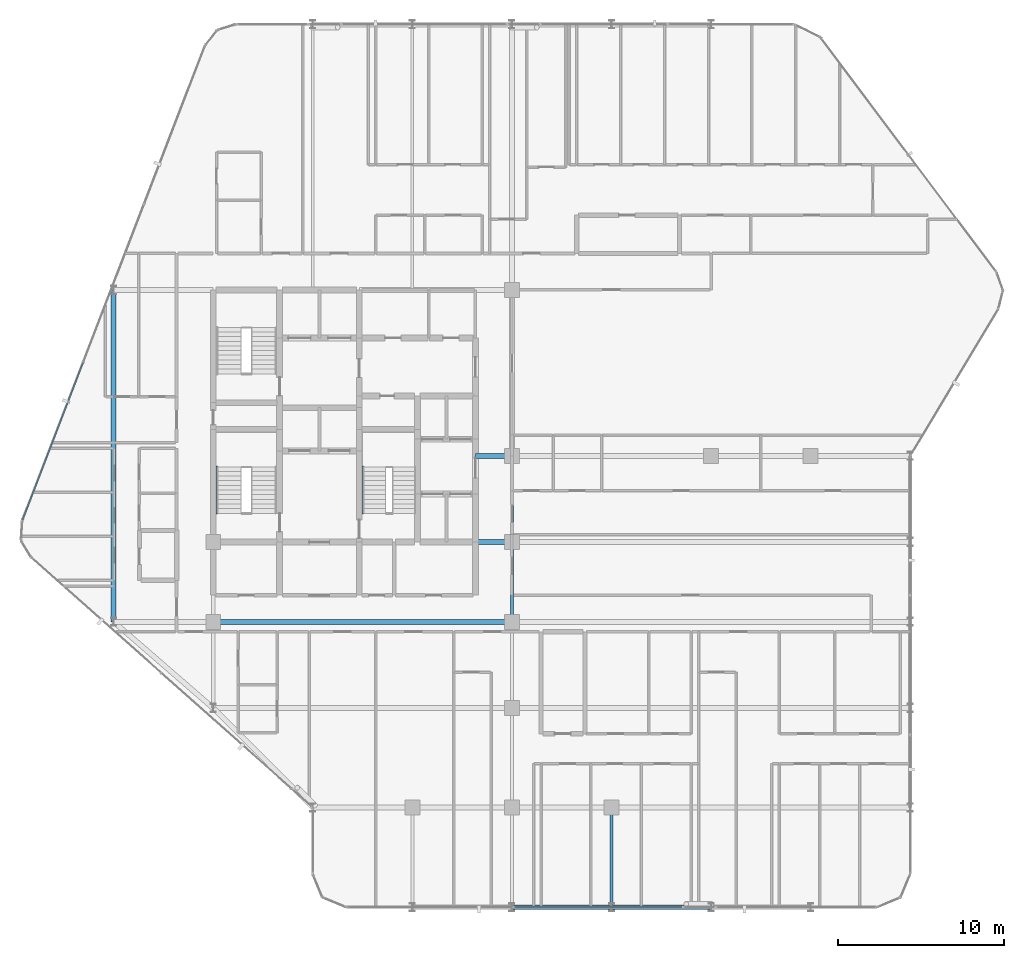
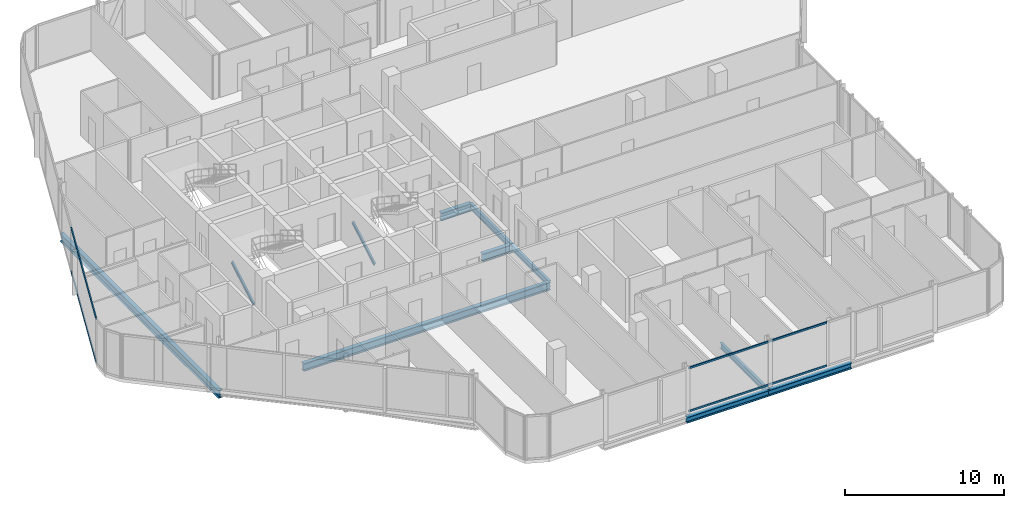
# One storey, part 8 of 31: 9 beams, 6 members, 2 elements without a shape of their own.
"""IFC4 building model written with IfcOpenShell, lengths in metres."""

from ifc_helpers import new_model, si_unit, direction, frame, origin, origin_2d, place, context, subcontext, project, spatial, hollow_rectangle, i_section, extrude, material, layer, layer_set, material_profile, profile_set, type_object, element, aggregate, save


model = new_model("IFC4")

# Units and contexts
model_context = context("Model", 3, precision=1e-05, world=origin(), true_north=direction((0.0, 1.0)))
body_context = subcontext(model_context, "Body", "Model", "MODEL_VIEW")
ifc_project = project(units=[si_unit("LENGTHUNIT", "METRE"), si_unit("AREAUNIT", "SQUARE_METRE"), si_unit("VOLUMEUNIT", "CUBIC_METRE"), si_unit("PLANEANGLEUNIT", "RADIAN"), si_unit("MASSUNIT", "GRAM", prefix="KILO")], contexts=[model_context])

# Site, building, storey
site_placement = place(None, origin())
site = spatial("IfcSite", under=ifc_project, at=site_placement, CompositionType="ELEMENT")
building_placement = place(site_placement, origin())
building = spatial("IfcBuilding", under=site, at=building_placement, Name="Keshet Zoharim Tower", CompositionType="ELEMENT")
storey_placement = place(building_placement, frame((0.0, 0.0, 140.89990234375)))
storey = spatial("IfcBuildingStorey", under=building, at=storey_placement, Name="L34", CompositionType="ELEMENT", Elevation=140.89990234375)

# Beams
ifc_material_1 = material(Name="Steel S355", Category="steel")
ifc_material_profile_1 = material_profile(ifc_material_1, i_section(OverallWidth=0.300048828125, OverallDepth=0.60009765625, WebThickness=0.015380859375, FlangeThickness=0.030029296875, FilletRadius=0.027099609375, at=origin_2d()), Name="HEB600")
ifc_profile_set_1 = profile_set([ifc_material_profile_1], Name="Steel S355")
beam_type_1 = type_object("IfcBeamType", Name="BM-CLK-HB600", PredefinedType="BEAM", material=ifc_profile_set_1)
for number, where, z_axis, x_axis, name in (
    (1, (30.800048828125, 22.699951171875, -0.614990234375), (1.0, 0.0, 0.0), (0.0, 1.0, 0.0), "L34 Core Wall Link Girder 01"),
    (2, (30.800048828125, 27.89990234375, -0.614990234375), (1.0, 0.0, 0.0), (0.0, 1.0, 0.0), "L34 Core Wall Link Girder 02"),
):
    element("IfcBeam", number, at=place(storey_placement, frame(where, z_axis=z_axis, x_axis=x_axis)), inside=storey, type_object=beam_type_1, Name=name, PredefinedType="BEAM", context=body_context, shape_type="SweptSolid", body=[
        extrude(i_section(OverallWidth=0.300048828125, OverallDepth=0.60009765625, WebThickness=0.015380859375, FlangeThickness=0.030029296875, FilletRadius=0.027099609375, at=origin_2d()), origin(), (0.0, 0.0, 1.0), 2.199951171875),
    ])
ifc_material_profile_2 = material_profile(ifc_material_1, i_section(OverallWidth=0.300048828125, OverallDepth=0.60009765625, WebThickness=0.015380859375, FlangeThickness=0.030029296875, FilletRadius=0.027099609375, at=origin_2d()), Name="HEB600")
ifc_profile_set_2 = profile_set([ifc_material_profile_2], Name="Steel S355")
beam_type_2 = type_object("IfcBeamType", Name="BM-LNG-HB600", PredefinedType="BEAM", material=ifc_profile_set_2)
beam_1_placement = place(storey_placement, frame((15.0, 17.89990234375, -0.614990234375), z_axis=(1.0, 0.0, 0.0), x_axis=(0.0, 1.0, 0.0)))
element("IfcBeam", 3, at=beam_1_placement, inside=storey, type_object=beam_type_2, Name="L34 Primary Girder X-012", PredefinedType="BEAM", context=body_context, shape_type="SweptSolid", body=[
    extrude(i_section(OverallWidth=0.300048828125, OverallDepth=0.60009765625, WebThickness=0.015380859375, FlangeThickness=0.030029296875, FilletRadius=0.027099609375, at=origin_2d()), origin(), (0.0, 0.0, 1.0), 18.0),
])
beam_2_placement = place(storey_placement, frame((9.0, 17.89990234375, -0.614990234375), z_axis=(0.0, 1.0, 0.0), x_axis=(-1.0, 0.0, 0.0)))
element("IfcBeam", 4, at=beam_2_placement, inside=storey, type_object=beam_type_2, Name="L34 Primary Girder Y-001", PredefinedType="BEAM", context=body_context, shape_type="SweptSolid", body=[
    extrude(i_section(OverallWidth=0.300048828125, OverallDepth=0.60009765625, WebThickness=0.015380859375, FlangeThickness=0.030029296875, FilletRadius=0.027099609375, at=origin_2d()), origin(), (0.0, 0.0, 1.0), 20.0),
])
ifc_material_profile_3 = material_profile(ifc_material_1, i_section(OverallWidth=0.18994140625, OverallDepth=0.449951171875, WebThickness=0.009521484375, FlangeThickness=0.0146484375, FilletRadius=0.02099609375, at=origin_2d()), Name="IPE450")
ifc_profile_set_3 = profile_set([ifc_material_profile_3], Name="Steel S355")
beam_type_3 = type_object("IfcBeamType", Name="BM-PRI-IP450", PredefinedType="BEAM", material=ifc_profile_set_3)
beam_3_placement = place(storey_placement, frame((33.0, 17.89990234375, -0.539794921875), z_axis=(0.0, 1.0, 0.0), x_axis=(-1.0, 0.0, 0.0)))
element("IfcBeam", 5, at=beam_3_placement, inside=storey, type_object=beam_type_3, Name="L34 Primary Girder Y-008", PredefinedType="BEAM", context=body_context, shape_type="SweptSolid", body=[
    extrude(i_section(OverallWidth=0.18994140625, OverallDepth=0.449951171875, WebThickness=0.009521484375, FlangeThickness=0.0146484375, FilletRadius=0.02099609375, at=origin_2d()), origin(), (0.0, 0.0, 1.0), 4.800048828125),
])
beam_4_placement = place(storey_placement, frame((33.0, 22.699951171875, -0.539794921875), z_axis=(0.0, 1.0, 0.0), x_axis=(-1.0, 0.0, 0.0)))
element("IfcBeam", 6, at=beam_4_placement, inside=storey, type_object=beam_type_3, Name="L34 Primary Girder Y-009", PredefinedType="BEAM", context=body_context, shape_type="SweptSolid", body=[
    extrude(i_section(OverallWidth=0.18994140625, OverallDepth=0.449951171875, WebThickness=0.009521484375, FlangeThickness=0.0146484375, FilletRadius=0.02099609375, at=origin_2d()), origin(), (0.0, 0.0, 1.0), 5.199951171875),
])
beam_5_placement = place(storey_placement, frame((39.0, 0.699951171875, -0.539794921875), z_axis=(0.0, 1.0, 0.0), x_axis=(-1.0, 0.0, 0.0)))
element("IfcBeam", 7, at=beam_5_placement, inside=storey, type_object=beam_type_3, Name="L34 Primary Girder Y-012", PredefinedType="BEAM", context=body_context, shape_type="SweptSolid", body=[
    extrude(i_section(OverallWidth=0.18994140625, OverallDepth=0.449951171875, WebThickness=0.009521484375, FlangeThickness=0.0146484375, FilletRadius=0.02099609375, at=origin_2d()), origin(), (0.0, 0.0, 1.0), 6.0),
])
ifc_material_profile_4 = material_profile(ifc_material_1, i_section(OverallWidth=0.300048828125, OverallDepth=0.449951171875, WebThickness=0.013916015625, FlangeThickness=0.02587890625, FilletRadius=0.027099609375, at=origin_2d()), Name="HEB450")
ifc_profile_set_4 = profile_set([ifc_material_profile_4], Name="Steel S355")
beam_type_4 = type_object("IfcBeamType", Name="BM-WEB-HB450", PredefinedType="BEAM", material=ifc_profile_set_4)
for number, where, z_axis, x_axis, name in (
    (8, (33.0, 0.699951171875, -0.539794921875), (1.0, 0.0, 0.0), (0.0, 1.0, 0.0), "L34 Primary Girder X-002"),
    (9, (39.0, 0.699951171875, -0.539794921875), (1.0, 0.0, 0.0), (0.0, 1.0, 0.0), "L34 Primary Girder X-003"),
):
    element("IfcBeam", number, at=place(storey_placement, frame(where, z_axis=z_axis, x_axis=x_axis)), inside=storey, type_object=beam_type_4, Name=name, PredefinedType="BEAM", context=body_context, shape_type="SweptSolid", body=[
        extrude(i_section(OverallWidth=0.300048828125, OverallDepth=0.449951171875, WebThickness=0.013916015625, FlangeThickness=0.02587890625, FilletRadius=0.027099609375, at=origin_2d()), origin(), (0.0, 0.0, 1.0), 6.0),
    ])

# Curtain wall, members
ifc_material_2 = material(Name="Aluminium 6063-T6", Category="aluminium")
ifc_layer = layer(ifc_material_2, 0.159912109375)
ifc_layer_set = layer_set([ifc_layer], Name="Aluminium 6063-T6")
curtain_wall_type = type_object("IfcCurtainWallType", Name="CW-SYS-03", PredefinedType="NOTDEFINED", material=ifc_layer_set)
curtain_wall_1_placement = place(storey_placement, origin())
curtain_wall_1 = element("IfcCurtainWall", 10, at=curtain_wall_1_placement, inside=storey, type_object=curtain_wall_type, Name="L34 Unitised Curtain Wall 03 Part 3", PredefinedType="NOTDEFINED")
ifc_material_profile_5 = material_profile(ifc_material_2, hollow_rectangle(XDim=0.080078125, YDim=0.139892578125, WallThickness=0.00390625, at=origin_2d()), Name="TRN-80x140")
ifc_profile_set_5 = profile_set([ifc_material_profile_5], Name="Aluminium 6063-T6")
member_type_1 = type_object("IfcMemberType", Name="CWT-T14", PredefinedType="USERDEFINED", material=ifc_profile_set_5)
member_1_placement = place(storey_placement, frame((43.251953125, 0.699951171875, 0.03515625), z_axis=(-1.0, 0.0, 0.0), x_axis=(0.0, -1.0, 0.0)))
member_1 = element("IfcMember", 11, at=member_1_placement, type_object=member_type_1, Name="CW-03 transom 1.1", ObjectType="TRANSOM", PredefinedType="USERDEFINED", context=body_context, shape_type="SweptSolid", body=[
    extrude(hollow_rectangle(XDim=0.080078125, YDim=0.139892578125, WallThickness=0.00390625, at=origin_2d()), origin(), (0.0, 0.0, 1.0), 10.091064453125),
])
member_2_placement = place(storey_placement, frame((43.251953125, 0.699951171875, 3.35009765625), z_axis=(-1.0, 0.0, 0.0), x_axis=(0.0, -1.0, 0.0)))
member_2 = element("IfcMember", 12, at=member_2_placement, type_object=member_type_1, Name="CW-03 transom 1.2", ObjectType="TRANSOM", PredefinedType="USERDEFINED", context=body_context, shape_type="SweptSolid", body=[
    extrude(hollow_rectangle(XDim=0.080078125, YDim=0.139892578125, WallThickness=0.00390625, at=origin_2d()), origin(), (0.0, 0.0, 1.0), 10.091064453125),
])
aggregate(curtain_wall_1, [member_1, member_2])

curtain_wall_2_placement = place(storey_placement, origin())
curtain_wall_2 = element("IfcCurtainWall", 13, at=curtain_wall_2_placement, inside=storey, type_object=curtain_wall_type, Name="L34 Unitised Curtain Wall 10", PredefinedType="NOTDEFINED")
member_3_placement = place(storey_placement, frame((3.522216796875, 24.058349609375, 0.03515625), z_axis=(0.358993631387, 0.93334000912, 0.0), x_axis=(-0.93334000912, 0.358993631387, 0.0)))
member_3 = element("IfcMember", 14, at=member_3_placement, type_object=member_type_1, Name="CW-03 transom 1.1", ObjectType="TRANSOM", PredefinedType="USERDEFINED", context=body_context, shape_type="SweptSolid", body=[
    extrude(hollow_rectangle(XDim=0.080078125, YDim=0.139892578125, WallThickness=0.00390625, at=origin_2d()), origin(), (0.0, 0.0, 1.0), 10.1181640625),
])
member_4_placement = place(storey_placement, frame((3.522216796875, 24.058349609375, 3.35009765625), z_axis=(0.358993631387, 0.93334000912, 0.0), x_axis=(-0.93334000912, 0.358993631387, 0.0)))
member_4 = element("IfcMember", 15, at=member_4_placement, type_object=member_type_1, Name="CW-03 transom 1.2", ObjectType="TRANSOM", PredefinedType="USERDEFINED", context=body_context, shape_type="SweptSolid", body=[
    extrude(hollow_rectangle(XDim=0.080078125, YDim=0.139892578125, WallThickness=0.00390625, at=origin_2d()), origin(), (0.0, 0.0, 1.0), 10.1181640625),
])
aggregate(curtain_wall_2, [member_3, member_4])

# Members
ifc_material_profile_6 = material_profile(ifc_material_1, i_section(OverallWidth=0.1201171875, OverallDepth=0.239990234375, WebThickness=0.006103515625, FlangeThickness=0.009765625, FilletRadius=0.014892578125, at=origin_2d()), Name="IPE240")
ifc_profile_set_6 = profile_set([ifc_material_profile_6], Name="Steel S355")
member_type_2 = type_object("IfcMemberType", Name="MB-STRG-IP240", PredefinedType="STRINGER", material=ifc_profile_set_6)
for number, where, z_axis, x_axis, name in (
    (16, (15.22998046875, 24.43994140625, 0.1201171875), (0.0, 0.866928350432, 0.498432779035), (-1.0, 0.0, 0.0), "L34 ST-01 Flight Steel Stringer"),
    (17, (24.030029296875, 24.43994140625, 0.1201171875), (0.0, 0.866928350432, 0.498432779035), (-1.0, 0.0, 0.0), "L34 ST-03 Flight Steel Stringer"),
):
    element("IfcMember", number, at=place(storey_placement, frame(where, z_axis=z_axis, x_axis=x_axis)), inside=storey, type_object=member_type_2, Name=name, PredefinedType="STRINGER", context=body_context, shape_type="SweptSolid", body=[
        extrude(i_section(OverallWidth=0.1201171875, OverallDepth=0.239990234375, WebThickness=0.006103515625, FlangeThickness=0.009765625, FilletRadius=0.014892578125, at=origin_2d()), origin(), (0.0, 0.0, 1.0), 3.229736328125),
    ])

save(model, "model.ifc")
